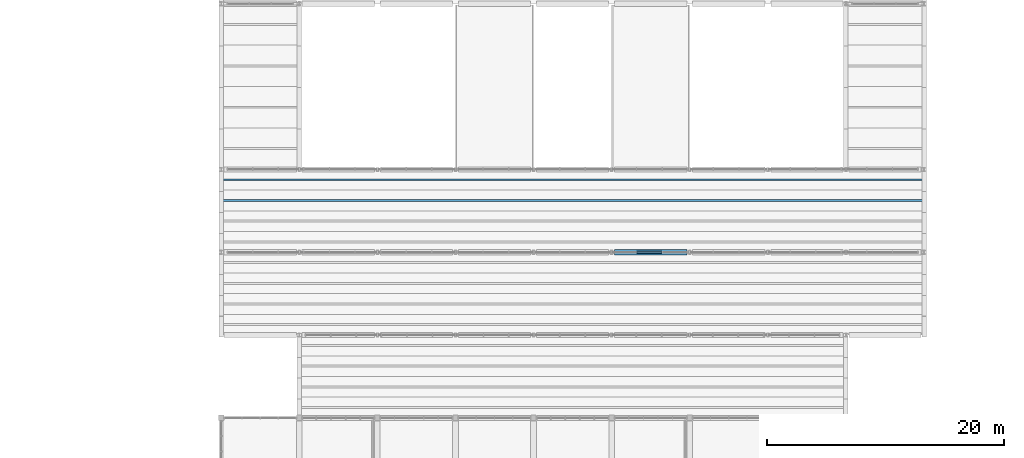
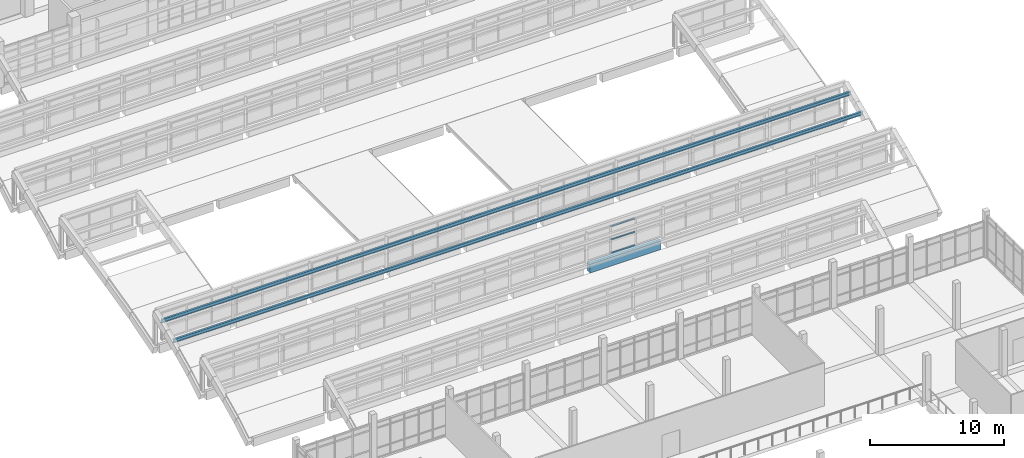
# One storey, part 30 of 92: 5 members, 1 beam, 1 element without a shape of its own.
"""IFC4 building model written with IfcOpenShell, lengths in metres."""

from ifc_helpers import new_model, si_unit, direction, frame, origin, origin_2d, place, context, subcontext, project, spatial, rectangle, i_section, extrude, material, material_profile, profile_set, type_object, element, aggregate, save


model = new_model("IFC4")

# Units and contexts
model_context = context("Model", 3, precision=1e-05, world=origin(), true_north=direction((0.0, 1.0)))
body_context = subcontext(model_context, "Body", "Model", "MODEL_VIEW")
ifc_project = project(units=[si_unit("LENGTHUNIT", "METRE"), si_unit("AREAUNIT", "SQUARE_METRE"), si_unit("VOLUMEUNIT", "CUBIC_METRE"), si_unit("PLANEANGLEUNIT", "RADIAN"), si_unit("MASSUNIT", "GRAM", prefix="KILO")], contexts=[model_context])

# Site, building, storey
site_placement = place(None, origin())
site = spatial("IfcSite", under=ifc_project, at=site_placement, CompositionType="ELEMENT")
building_placement = place(site_placement, origin())
building = spatial("IfcBuilding", under=site, at=building_placement, Name="Ciguamira Faculty of Natural Sciences", CompositionType="ELEMENT")
storey_placement = place(building_placement, frame((0.0, 0.0, 16.800048828125)))
storey = spatial("IfcBuildingStorey", under=building, at=storey_placement, Name="L04", CompositionType="ELEMENT", Elevation=16.800048828125)

# Curtain wall, members
ifc_material_1 = material(Name="Anodized aluminium curtain wall", Category="aluminium")
curtain_wall_type = type_object("IfcCurtainWallType", Name="CurtainWall_CW-03", PredefinedType="USERDEFINED", material=ifc_material_1)
curtain_wall_placement = place(storey_placement, origin())
curtain_wall = element("IfcCurtainWall", 1, at=curtain_wall_placement, inside=storey, type_object=curtain_wall_type, Name="V4 north-light wave 2 clerestory glazing 1", ObjectType="UNITISED CURTAIN WALL", PredefinedType="USERDEFINED")
ifc_material_2 = material(Name="Anodized aluminium transom", Category="aluminium")
ifc_material_profile_1 = material_profile(ifc_material_2, rectangle(XDim=0.070068359375, YDim=0.139892578125, at=origin_2d()), Name="ALU-TRN-70X140")
ifc_profile_set_1 = profile_set([ifc_material_profile_1], Name="Anodized aluminium transom")
member_type_1 = type_object("IfcMemberType", Name="CWTransom_CWT-02", PredefinedType="USERDEFINED", material=ifc_profile_set_1)
member_1_placement = place(storey_placement, frame((92.4423828125, 52.0, 0.284912109375), z_axis=(1.0, 0.0, 0.0), x_axis=(0.0, 0.0, 1.0)))
member_1 = element("IfcMember", 2, at=member_1_placement, type_object=member_type_1, Name="CW-03 transom 17.1", ObjectType="TRANSOM", PredefinedType="USERDEFINED", context=body_context, shape_type="SweptSolid", body=[
    extrude(rectangle(XDim=0.070068359375, YDim=0.139892578125, at=origin_2d()), origin(), (0.0, 0.0, 1.0), 2.093017578125),
])
member_2_placement = place(storey_placement, frame((92.4423828125, 52.0, 1.5), z_axis=(1.0, 0.0, 0.0), x_axis=(0.0, 0.0, 1.0)))
member_2 = element("IfcMember", 3, at=member_2_placement, type_object=member_type_1, Name="CW-03 transom 17.2", ObjectType="TRANSOM", PredefinedType="USERDEFINED", context=body_context, shape_type="SweptSolid", body=[
    extrude(rectangle(XDim=0.070068359375, YDim=0.139892578125, at=origin_2d()), origin(), (0.0, 0.0, 1.0), 2.093017578125),
])
member_3_placement = place(storey_placement, frame((92.4423828125, 52.0, 2.71484375), z_axis=(1.0, 0.0, 0.0), x_axis=(0.0, 0.0, 1.0)))
member_3 = element("IfcMember", 4, at=member_3_placement, type_object=member_type_1, Name="CW-03 transom 17.3", ObjectType="TRANSOM", PredefinedType="USERDEFINED", context=body_context, shape_type="SweptSolid", body=[
    extrude(rectangle(XDim=0.070068359375, YDim=0.139892578125, at=origin_2d()), origin(), (0.0, 0.0, 1.0), 2.093017578125),
])
aggregate(curtain_wall, [member_1, member_2, member_3])

# Beam
ifc_material_3 = material(Name="Concrete C40/50", Category="concrete")
ifc_material_profile_2 = material_profile(ifc_material_3, rectangle(XDim=0.43994140625, YDim=0.780029296875, at=origin_2d()), Name="RC-BM-440X780")
ifc_profile_set_2 = profile_set([ifc_material_profile_2], Name="Concrete C40/50")
beam_type = type_object("IfcBeamType", Name="RCBeam_BG-06_RC-BM-440X780", PredefinedType="BEAM", material=ifc_profile_set_2)
beam_placement = place(storey_placement, frame((90.550048828125, 52.0, -0.39013671875), z_axis=(1.0, 0.0, 0.0), x_axis=(0.0, 1.0, 0.0)))
element("IfcBeam", 5, at=beam_placement, inside=storey, type_object=beam_type, Name="V4 north-light wave 2 RC valley beam NVL-1-6", PredefinedType="BEAM", context=body_context, shape_type="SweptSolid", body=[
    extrude(rectangle(XDim=0.43994140625, YDim=0.780029296875, at=origin_2d()), origin(), (0.0, 0.0, 1.0), 6.099853515625),
])

# Members
ifc_material_4 = material(Name="Steel ASTM A992 Grade 50", Category="steel")
ifc_material_profile_3 = material_profile(ifc_material_4, i_section(OverallWidth=0.164794921875, OverallDepth=0.309814453125, WebThickness=0.005859375, FlangeThickness=0.009765625, at=origin_2d()), Name="W12X26")
ifc_profile_set_3 = profile_set([ifc_material_profile_3], Name="Steel ASTM A992 Grade 50")
member_type_2 = type_object("IfcMemberType", Name="SteelMember_PR-02_W12X26", PredefinedType="PURLIN", material=ifc_profile_set_3)
for number, where, z_axis, x_axis, name in (
    (6, (57.300048828125, 56.375, 1.8994140625), (1.0, 0.0, 0.0), (0.0, 1.0, 0.0), "V4 wave roof steel purlin 3-1-3"),
    (7, (57.300048828125, 58.125, 2.65625), (1.0, 0.0, 0.0), (0.0, 1.0, 0.0), "V4 wave roof steel purlin 3-1-4"),
):
    element("IfcMember", number, at=place(storey_placement, frame(where, z_axis=z_axis, x_axis=x_axis)), inside=storey, type_object=member_type_2, Name=name, PredefinedType="PURLIN", context=body_context, shape_type="SweptSolid", body=[
        extrude(i_section(OverallWidth=0.164794921875, OverallDepth=0.309814453125, WebThickness=0.005859375, FlangeThickness=0.009765625, at=origin_2d()), origin(), (0.0, 0.0, 1.0), 59.39990234375),
    ])

save(model, "model.ifc")
